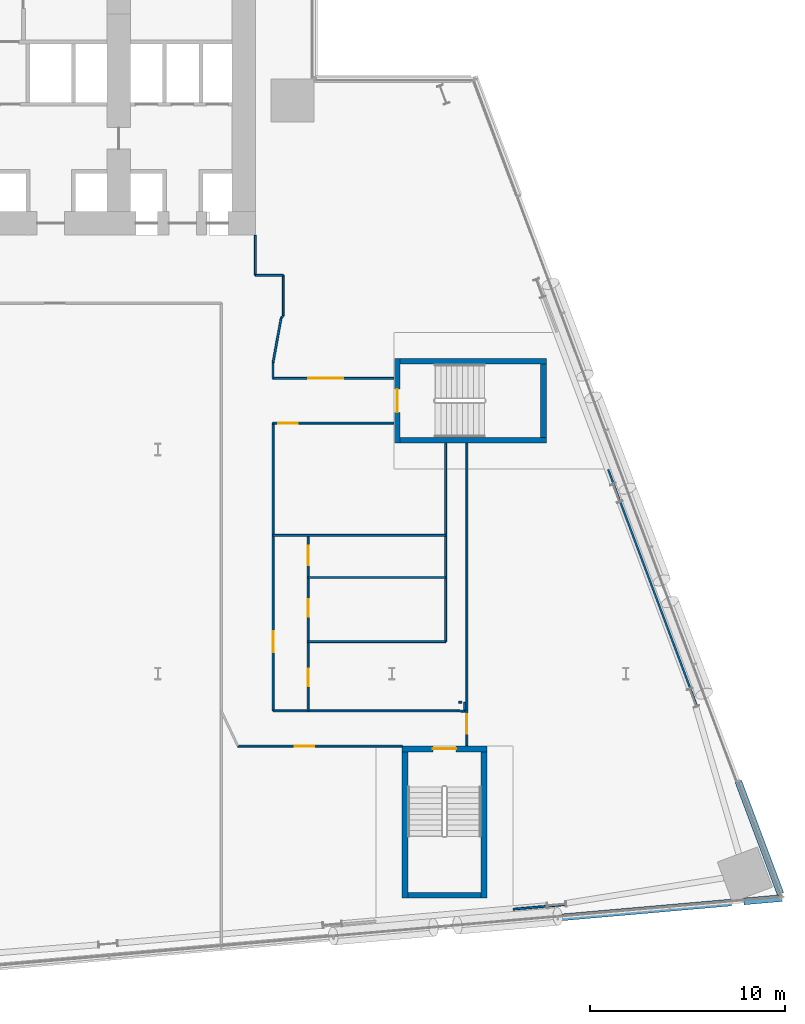
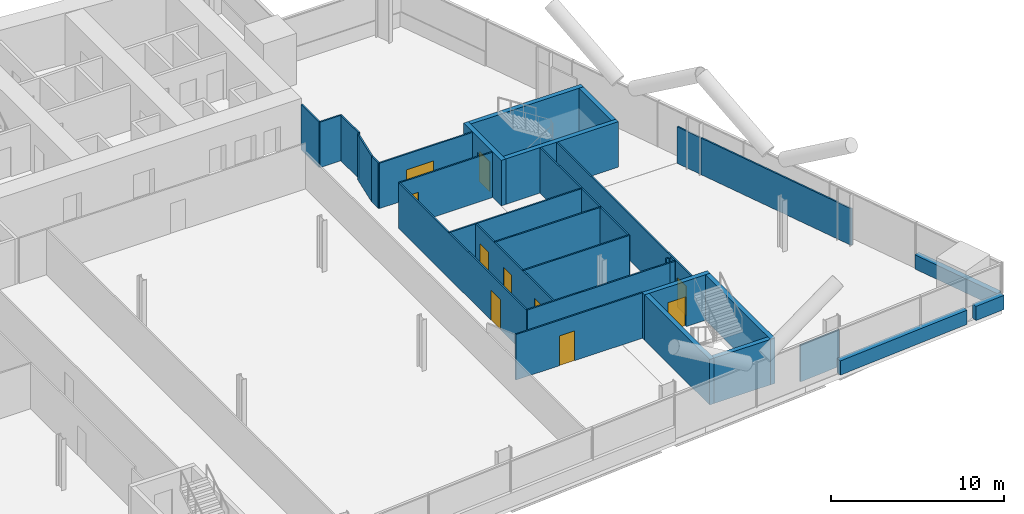
# One storey, part 17 of 25: 34 walls, 10 doors, 10 openings.
"""IFC4 building model written with IfcOpenShell, lengths in metres."""

import ifcopenshell
import ifcopenshell.guid

model = None  # the IFC model being written
_history = None  # IfcOwnerHistory: only IFC2X3 demands one
_inside = {}  # id of a spatial element -> (the spatial element, [elements in it])
_under = {}  # id of a project, library or spatial element -> (it, [spatial elements below it])
_declared = {}  # id of a project -> (the project, [libraries it declares])
_typed = {}  # id of a type object -> (the type object, [elements of that type])
_made_of = {}  # id of a material, layer set ... -> (it, [elements and type objects made of it])


def new_model(schema):
    """Start an empty IFC model of exactly this schema.

    Asked for "IFC4X3", IfcOpenShell would pick the latest addendum, in which some entities
    have other attributes; the version numbers below select the first issue.
    IFC2X3 requires an IfcOwnerHistory on every rooted entity: one is made here for all.
    """
    global model, _history
    if schema == "IFC4X3":
        model = ifcopenshell.file(schema_version=(4, 3, 0, 0))
    else:
        model = ifcopenshell.file(schema=schema)
    _inside.clear()
    _under.clear()
    _declared.clear()
    _typed.clear()
    _made_of.clear()
    _history = None
    if model.schema == "IFC2X3":
        org = make("IfcOrganization", Name="unknown")
        user = make(
            "IfcPersonAndOrganization",
            ThePerson=make("IfcPerson", FamilyName="unknown"),
            TheOrganization=org,
        )
        app = make(
            "IfcApplication",
            ApplicationDeveloper=org,
            Version="unknown",
            ApplicationFullName="unknown",
            ApplicationIdentifier="unknown",
        )
        _history = make(
            "IfcOwnerHistory",
            OwningUser=user,
            OwningApplication=app,
            ChangeAction="ADDED",
            CreationDate=0,
        )
    return model


def make(cls, **values):
    """One entity of the class cls with the attributes given. An attribute that is None is left unset."""
    return model.create_entity(
        cls, **{name: value for name, value in values.items() if value is not None}
    )


def rooted(cls, **values):
    """An entity with a GlobalId (a new one), such as an element, a storey or a relation."""
    return make(cls, GlobalId=ifcopenshell.guid.new(), OwnerHistory=_history, **values)


def si_unit(unit_type, name, prefix=None):
    """IfcSIUnit, for example si_unit("LENGTHUNIT", "METRE", prefix="MILLI")."""
    return make("IfcSIUnit", UnitType=unit_type, Prefix=prefix, Name=name)


def assignment(units):
    """IfcUnitAssignment: the units of a project."""
    return None if units is None else make("IfcUnitAssignment", Units=units)


def point(xyz):
    """IfcCartesianPoint."""
    return None if xyz is None else make("IfcCartesianPoint", Coordinates=xyz)


def direction(xyz):
    """IfcDirection."""
    return None if xyz is None else make("IfcDirection", DirectionRatios=xyz)


def frame(location, z_axis=None, x_axis=None):
    """IfcAxis2Placement3D, a coordinate frame: its origin and axes. An axis left out is left unset."""
    return make(
        "IfcAxis2Placement3D",
        Location=point(location),
        Axis=direction(z_axis),
        RefDirection=direction(x_axis),
    )


def frame_2d(location, x_axis=None):
    """IfcAxis2Placement2D, a coordinate frame in the plane: its origin and x axis."""
    return make(
        "IfcAxis2Placement2D", Location=point(location), RefDirection=direction(x_axis)
    )


def origin():
    """The frame at (0, 0, 0) with its axes left unset."""
    return frame((0.0, 0.0, 0.0))


def place(relative_to, where):
    """IfcLocalPlacement: puts the frame where relative to a parent placement (None: the world)."""
    return make(
        "IfcLocalPlacement", PlacementRelTo=relative_to, RelativePlacement=where
    )


def context(
    kind, dimensions, precision=None, world=None, true_north=None, identifier=None
):
    """IfcGeometricRepresentationContext, for example the 3D "Model" context."""
    return make(
        "IfcGeometricRepresentationContext",
        ContextIdentifier=identifier,
        ContextType=kind,
        CoordinateSpaceDimension=dimensions,
        Precision=precision,
        WorldCoordinateSystem=world,
        TrueNorth=true_north,
    )


def subcontext(parent, identifier, kind, view, scale=None):
    """IfcGeometricRepresentationSubContext, for example "Body" below "Model"."""
    return make(
        "IfcGeometricRepresentationSubContext",
        ContextIdentifier=identifier,
        ContextType=kind,
        ParentContext=parent,
        TargetScale=scale,
        TargetView=view,
    )


def project(units=None, contexts=None):
    """IfcProject with its units and contexts."""
    return rooted(
        "IfcProject",
        Name="project",
        RepresentationContexts=contexts,
        UnitsInContext=assignment(units),
    )


def spatial(cls, under=None, at=None, **own):
    """A site, building, storey or space (cls), placed at a placement, below another one or the project."""
    s = rooted(cls, ObjectPlacement=at, **own)
    if under is not None:
        _under.setdefault(under.id(), (under, []))[1].append(s)
    return s


def profile(cls, at=None, kind="AREA", **sizes):
    """A parametric profile (cls). Its sizes go by their IFC names, for example OverallWidth=200.0."""
    return make(cls, ProfileType=kind, Position=at, **sizes)


def rectangle(**sizes):
    """IfcRectangleProfileDef."""
    return profile("IfcRectangleProfileDef", **sizes)


def extrude(swept, where, along, depth):
    """IfcExtrudedAreaSolid: the profile swept, set in the frame where, extruded along a direction by depth."""
    return make(
        "IfcExtrudedAreaSolid",
        SweptArea=swept,
        Position=where,
        ExtrudedDirection=direction(along),
        Depth=depth,
    )


def shape(context_of_items, identifier, shape_type, items):
    """IfcShapeRepresentation: the items that make up one representation, for example the "Body"."""
    return make(
        "IfcShapeRepresentation",
        ContextOfItems=context_of_items,
        RepresentationIdentifier=identifier,
        RepresentationType=shape_type,
        Items=items,
    )


def material(Name=None, Category=None):
    """IfcMaterial."""
    return make("IfcMaterial", Name=Name, Category=Category)


def layer(
    of_material, thickness, ventilated=None, Name=None, Category=None, Priority=None
):
    """IfcMaterialLayer: one layer of a wall or slab, of a material (None: an air gap)."""
    return make(
        "IfcMaterialLayer",
        Material=of_material,
        LayerThickness=thickness,
        IsVentilated=ventilated,
        Name=Name,
        Category=Category,
        Priority=Priority,
    )


def layer_set(layers, Name=None):
    """IfcMaterialLayerSet."""
    return make("IfcMaterialLayerSet", MaterialLayers=layers, LayerSetName=Name)


def made_of(thing, what):
    """Note that an element or type object is made of a material, layer set ...; save() writes the relation."""
    if what is not None:
        _made_of.setdefault(what.id(), (what, []))[1].append(thing)
    return thing


def type_object(cls, material=None, **own):
    """A type object (cls), such as IfcWallType, which elements share."""
    return made_of(rooted(cls, **own), material)


def element(
    cls,
    number,
    at=None,
    inside=None,
    cuts=None,
    type_object=None,
    material=None,
    context=None,
    identifier="Body",
    shape_type=None,
    held_by="IfcProductDefinitionShape",
    body=None,
    shapes=None,
    **own,
):
    """One element of the class cls, such as IfcWall. Its Tag is "e" and its number.

    at: its placement. inside: the storey or other place that contains it. cuts: it is an
    opening in that element (IfcRelVoidsElement). A single representation is given by context,
    identifier, shape_type and body (its items); several are given by shapes. held_by: the class
    of the entity that holds the representations. save() writes the other relations.
    """
    e = rooted(cls, Tag="e%d" % number, ObjectPlacement=at, **own)
    if body is not None:
        shapes = [shape(context, identifier, shape_type, body)]
    if shapes is not None:
        e.Representation = make(held_by, Representations=shapes)
    if inside is not None:
        _inside.setdefault(inside.id(), (inside, []))[1].append(e)
    if cuts is not None:
        rooted(
            "IfcRelVoidsElement", RelatingBuildingElement=cuts, RelatedOpeningElement=e
        )
    if type_object is not None:
        _typed.setdefault(type_object.id(), (type_object, []))[1].append(e)
    return made_of(e, material)


def fill(opening, filler):
    """IfcRelFillsElement: the door or window that sits in an opening."""
    return rooted(
        "IfcRelFillsElement",
        RelatingOpeningElement=opening,
        RelatedBuildingElement=filler,
    )


def aggregate(whole, parts):
    """IfcRelAggregates: a whole, such as a stair, and the parts it consists of."""
    return rooted("IfcRelAggregates", RelatingObject=whole, RelatedObjects=parts)


def save(model, path):
    """Write the relations noted so far, then the file.

    IfcRelAggregates (storeys below a building ...), IfcRelContainedInSpatialStructure (elements
    in a storey), IfcRelDefinesByType, IfcRelAssociatesMaterial and IfcRelDeclares: one each for
    every whole, place, type object, material and project.
    """
    for whole, parts in _under.values():
        aggregate(whole, parts)
    for where, things in _inside.values():
        rooted(
            "IfcRelContainedInSpatialStructure",
            RelatedElements=things,
            RelatingStructure=where,
        )
    for kind, things in _typed.values():
        rooted("IfcRelDefinesByType", RelatedObjects=things, RelatingType=kind)
    for what, things in _made_of.values():
        rooted("IfcRelAssociatesMaterial", RelatedObjects=things, RelatingMaterial=what)
    for by, libraries in _declared.values():
        rooted("IfcRelDeclares", RelatingContext=by, RelatedDefinitions=libraries)
    model.write(path)


model = new_model("IFC4")

# Units and contexts
model_context = context("Model", 3, precision=1e-05, world=origin(), true_north=direction((0.0, 1.0)))
body_context = subcontext(model_context, "Body", "Model", "MODEL_VIEW")
ifc_project = project(units=[si_unit("LENGTHUNIT", "METRE"), si_unit("AREAUNIT", "SQUARE_METRE"), si_unit("VOLUMEUNIT", "CUBIC_METRE"), si_unit("PLANEANGLEUNIT", "RADIAN"), si_unit("MASSUNIT", "GRAM", prefix="KILO")], contexts=[model_context])

# Site, building, storey
site_placement = place(None, origin())
site = spatial("IfcSite", under=ifc_project, at=site_placement, CompositionType="ELEMENT")
building_placement = place(site_placement, origin())
building = spatial("IfcBuilding", under=site, at=building_placement, Name="Wharfspan Tower", CompositionType="ELEMENT")
storey_placement = place(building_placement, frame((0.0, 0.0, 70.300049)))
storey = spatial("IfcBuildingStorey", under=building, at=storey_placement, Name="L14", CompositionType="ELEMENT", Elevation=70.300049)

# Wall, opening, door
ifc_material_1 = material(Name="Gypsum board on steel studs", Category="steel")
ifc_layer_1 = layer(ifc_material_1, 0.100098)
ifc_layer_set_1 = layer_set([ifc_layer_1], Name="Gypsum board on steel studs")
wall_type_1 = type_object("IfcWallType", Name="Compartment wall 100 EI 60", PredefinedType="PARTITIONING", material=ifc_layer_set_1)
wall_1_placement = place(storey_placement, frame((64.100098, 7.790039, 0.0), z_axis=(0.0, 0.0, 1.0), x_axis=(1.0, 0.0, 0.0)))
wall_1 = element("IfcWall", 1, at=wall_1_placement, inside=storey, type_object=wall_type_1, Name="Partition L14.w021", PredefinedType="PARTITIONING", context=body_context, shape_type="SweptSolid", body=[
    extrude(rectangle(XDim=8.41748, YDim=0.100098, at=frame_2d((4.20874, 0.0))), origin(), (0.0, 0.0, 1.0), 3.199951),
])
opening_1_placement = place(wall_1_placement, frame((2.913086, 0.0, 0.0)))
opening_1 = element("IfcOpeningElement", 2, at=opening_1_placement, cuts=wall_1, Name="Opening A3-01", PredefinedType="OPENING", context=body_context, shape_type="SweptSolid", body=[
    extrude(rectangle(XDim=1.0, YDim=2.100098, at=frame_2d((0.5, 1.050049))), frame((0.0, 0.060059, 0.0), z_axis=(0.0, -1.0, 0.0), x_axis=(1.0, 0.0, 0.0)), (0.0, 0.0, 1.0), 0.120117),
])
ifc_material_2 = material(Name="Fire-rated timber door leaf in steel frame", Category="steel")
door_type_1 = type_object("IfcDoorType", Name="Door 1000 FD30S Left", OperationType="SINGLE_SWING_LEFT", PredefinedType="DOOR", material=ifc_material_2)
door_1_placement = place(opening_1_placement, origin())
door_1 = element("IfcDoor", 3, at=door_1_placement, inside=storey, type_object=door_type_1, Name="Door A3-01", OperationType="SINGLE_SWING_LEFT", OverallHeight=2.100098, OverallWidth=1.0, PredefinedType="DOOR", context=body_context, shape_type="SweptSolid", body=[
    extrude(rectangle(XDim=1.0, YDim=2.100098, at=frame_2d((0.5, 1.050049))), frame((0.0, 0.024902, 0.0), z_axis=(0.0, -1.0, 0.0), x_axis=(1.0, 0.0, 0.0)), (0.0, 0.0, 1.0), 0.050049),
])
fill(opening_1, door_1)

# Walls
wall_2_placement = place(storey_placement, frame((65.0, 31.925049, 0.0), z_axis=(0.0, 0.0, 1.0), x_axis=(0.0, 1.0, 0.0)))
element("IfcWall", 4, at=wall_2_placement, inside=storey, type_object=wall_type_1, Name="Partition L14.w023", PredefinedType="PARTITIONING", context=body_context, shape_type="SweptSolid", body=[
    extrude(rectangle(XDim=2.054932, YDim=0.100098, at=frame_2d((1.027344, 0.0))), origin(), (0.0, 0.0, 1.0), 3.199951),
])
wall_3_placement = place(storey_placement, frame((65.0, 31.925049, 0.0), z_axis=(0.0, 0.0, 1.0), x_axis=(1.0, 0.0, 0.0)))
element("IfcWall", 5, at=wall_3_placement, inside=storey, type_object=wall_type_1, Name="Partition L14.w024", PredefinedType="PARTITIONING", context=body_context, shape_type="SweptSolid", body=[
    extrude(rectangle(XDim=1.425049, YDim=0.100098, at=frame_2d((0.712402, 0.0))), origin(), (0.0, 0.0, 1.0), 3.199951),
])

# Wall, opening, door
wall_4_placement = place(storey_placement, frame((65.899902, 24.350098, 0.0), z_axis=(0.0, 0.0, 1.0), x_axis=(1.0, 0.0, 0.0)))
wall_4 = element("IfcWall", 6, at=wall_4_placement, inside=storey, type_object=wall_type_1, Name="Partition L14.w025", PredefinedType="PARTITIONING", context=body_context, shape_type="SweptSolid", body=[
    extrude(rectangle(XDim=6.205078, YDim=0.100098, at=frame_2d((3.102539, 0.0))), origin(), (0.0, 0.0, 1.0), 3.199951),
])
opening_2_placement = place(wall_4_placement, frame((0.264893, 0.0, 0.0)))
opening_2 = element("IfcOpeningElement", 7, at=opening_2_placement, cuts=wall_4, Name="Opening A3-09", PredefinedType="OPENING", context=body_context, shape_type="SweptSolid", body=[
    extrude(rectangle(XDim=1.0, YDim=2.100098, at=frame_2d((0.5, 1.050049))), frame((0.0, 0.060059, 0.0), z_axis=(0.0, -1.0, 0.0), x_axis=(1.0, 0.0, 0.0)), (0.0, 0.0, 1.0), 0.120117),
])
door_2_placement = place(opening_2_placement, origin())
door_2 = element("IfcDoor", 8, at=door_2_placement, inside=storey, type_object=door_type_1, Name="Door A3-09", OperationType="SINGLE_SWING_LEFT", OverallHeight=2.100098, OverallWidth=1.0, PredefinedType="DOOR", context=body_context, shape_type="SweptSolid", body=[
    extrude(rectangle(XDim=1.0, YDim=2.100098, at=frame_2d((0.5, 1.050049))), frame((0.0, 0.024902, 0.0), z_axis=(0.0, -1.0, 0.0), x_axis=(1.0, 0.0, 0.0)), (0.0, 0.0, 1.0), 0.050049),
])
fill(opening_2, door_2)

# Wall
wall_5_placement = place(storey_placement, frame((65.899902, 26.649902, 0.0), z_axis=(0.0, 0.0, 1.0), x_axis=(0.0, 1.0, 0.0)))
element("IfcWall", 9, at=wall_5_placement, inside=storey, type_object=wall_type_1, Name="Partition L14.w026", PredefinedType="PARTITIONING", context=body_context, shape_type="SweptSolid", body=[
    extrude(rectangle(XDim=0.785156, YDim=0.100098, at=frame_2d((0.392578, 0.0))), origin(), (0.0, 0.0, 1.0), 3.199951),
])

# Wall, opening, door
wall_6_placement = place(storey_placement, frame((65.899902, 26.649902, 0.0), z_axis=(0.0, 0.0, 1.0), x_axis=(1.0, 0.0, 0.0)))
wall_6 = element("IfcWall", 10, at=wall_6_placement, inside=storey, type_object=wall_type_1, Name="Partition L14.w027", PredefinedType="PARTITIONING", context=body_context, shape_type="SweptSolid", body=[
    extrude(rectangle(XDim=6.205078, YDim=0.100098, at=frame_2d((3.102539, 0.0))), origin(), (0.0, 0.0, 1.0), 3.199951),
])
opening_3_placement = place(wall_6_placement, frame((1.804932, 0.0, 0.0)))
opening_3 = element("IfcOpeningElement", 11, at=opening_3_placement, cuts=wall_6, Name="Opening A3-11", PredefinedType="OPENING", context=body_context, shape_type="SweptSolid", body=[
    extrude(rectangle(XDim=1.800049, YDim=2.100098, at=frame_2d((0.899902, 1.050049))), frame((0.0, 0.060059, 0.0), z_axis=(0.0, -1.0, 0.0), x_axis=(1.0, 0.0, 0.0)), (0.0, 0.0, 1.0), 0.120117),
])
door_type_2 = type_object("IfcDoorType", Name="Door 1800 FD30S Double", OperationType="DOUBLE_DOOR_SINGLE_SWING", PredefinedType="DOOR", material=ifc_material_2)
door_3_placement = place(opening_3_placement, origin())
door_3 = element("IfcDoor", 12, at=door_3_placement, inside=storey, type_object=door_type_2, Name="Door A3-11", OperationType="DOUBLE_DOOR_SINGLE_SWING", OverallHeight=2.100098, OverallWidth=1.800049, PredefinedType="DOOR", context=body_context, shape_type="SweptSolid", body=[
    extrude(rectangle(XDim=1.800049, YDim=2.100098, at=frame_2d((0.899902, 1.050049))), frame((0.0, 0.024902, 0.0), z_axis=(0.0, -1.0, 0.0), x_axis=(1.0, 0.0, 0.0)), (0.0, 0.0, 1.0), 0.050049),
])
fill(opening_3, door_3)

# Wall
wall_7_placement = place(storey_placement, frame((65.899902, 27.435059, 0.0), z_axis=(0.0, 0.0, 1.0), x_axis=(0.178584, 0.983924, 0.0)))
element("IfcWall", 13, at=wall_7_placement, inside=storey, type_object=wall_type_1, Name="Partition L14.w028", PredefinedType="PARTITIONING", context=body_context, shape_type="SweptSolid", body=[
    extrude(rectangle(XDim=2.352783, YDim=0.100098, at=frame_2d((1.17627, 0.0))), origin(), (0.0, 0.0, 1.0), 3.199951),
])

# Wall, opening, door
wall_8_placement = place(storey_placement, frame((65.909912, 9.600098, 0.0), z_axis=(0.0, 0.0, 1.0), x_axis=(0.0, 1.0, 0.0)))
wall_8 = element("IfcWall", 14, at=wall_8_placement, inside=storey, type_object=wall_type_1, Name="Partition L14.w029", PredefinedType="PARTITIONING", context=body_context, shape_type="SweptSolid", body=[
    extrude(rectangle(XDim=14.75, YDim=0.100098, at=frame_2d((7.375, 0.0))), origin(), (0.0, 0.0, 1.0), 3.199951),
])
opening_4_placement = place(wall_8_placement, frame((2.98999, 0.0, 0.0)))
opening_4 = element("IfcOpeningElement", 15, at=opening_4_placement, cuts=wall_8, Name="Opening A3-04", PredefinedType="OPENING", context=body_context, shape_type="SweptSolid", body=[
    extrude(rectangle(XDim=1.100098, YDim=2.100098, at=frame_2d((0.550049, 1.050049))), frame((0.0, 0.060059, 0.0), z_axis=(0.0, -1.0, 0.0), x_axis=(1.0, 0.0, 0.0)), (0.0, 0.0, 1.0), 0.120117),
])
door_type_3 = type_object("IfcDoorType", Name="Door 1100 FD30S Left", OperationType="SINGLE_SWING_LEFT", PredefinedType="DOOR", material=ifc_material_2)
door_4_placement = place(opening_4_placement, origin())
door_4 = element("IfcDoor", 16, at=door_4_placement, inside=storey, type_object=door_type_3, Name="Door A3-04", OperationType="SINGLE_SWING_LEFT", OverallHeight=2.100098, OverallWidth=1.100098, PredefinedType="DOOR", context=body_context, shape_type="SweptSolid", body=[
    extrude(rectangle(XDim=1.100098, YDim=2.100098, at=frame_2d((0.550049, 1.050049))), frame((0.0, 0.024902, 0.0), z_axis=(0.0, -1.0, 0.0), x_axis=(1.0, 0.0, 0.0)), (0.0, 0.0, 1.0), 0.050049),
])
fill(opening_4, door_4)

# Walls
wall_9_placement = place(storey_placement, frame((65.909912, 9.600098, 0.0), z_axis=(0.0, 0.0, 1.0), x_axis=(1.0, 0.0, 0.0)))
element("IfcWall", 17, at=wall_9_placement, inside=storey, type_object=wall_type_1, Name="Partition L14.w030", PredefinedType="PARTITIONING", context=body_context, shape_type="SweptSolid", body=[
    extrude(rectangle(XDim=9.485107, YDim=0.100098, at=frame_2d((4.742676, 0.0))), origin(), (0.0, 0.0, 1.0), 3.199951),
])
wall_10_placement = place(storey_placement, frame((65.909912, 18.594971, 0.0), z_axis=(0.0, 0.0, 1.0), x_axis=(1.0, 0.0, 0.0)))
element("IfcWall", 18, at=wall_10_placement, inside=storey, type_object=wall_type_1, Name="Partition L14.w031", PredefinedType="PARTITIONING", context=body_context, shape_type="SweptSolid", body=[
    extrude(rectangle(XDim=8.840088, YDim=0.100098, at=frame_2d((4.419922, 0.0))), origin(), (0.0, 0.0, 1.0), 3.199951),
])
wall_11_placement = place(storey_placement, frame((66.320068, 29.75, 0.0), z_axis=(0.0, 0.0, 1.0), x_axis=(0.741581, 0.670872, 0.0)))
element("IfcWall", 19, at=wall_11_placement, inside=storey, type_object=wall_type_1, Name="Partition L14.w032", PredefinedType="PARTITIONING", context=body_context, shape_type="SweptSolid", body=[
    extrude(rectangle(XDim=0.141602, YDim=0.100098, at=frame_2d((0.070801, 0.0))), origin(), (0.0, 0.0, 1.0), 3.199951),
])
wall_12_placement = place(storey_placement, frame((66.425049, 29.844971, 0.0), z_axis=(0.0, 0.0, 1.0), x_axis=(0.0, 1.0, 0.0)))
element("IfcWall", 20, at=wall_12_placement, inside=storey, type_object=wall_type_1, Name="Partition L14.w033", PredefinedType="PARTITIONING", context=body_context, shape_type="SweptSolid", body=[
    extrude(rectangle(XDim=2.080078, YDim=0.100098, at=frame_2d((1.040039, 0.0))), origin(), (0.0, 0.0, 1.0), 3.199951),
])

# Wall, openings, doors
wall_13_placement = place(storey_placement, frame((67.699951, 9.600098, 0.0), z_axis=(0.0, 0.0, 1.0), x_axis=(0.0, 1.0, 0.0)))
wall_13 = element("IfcWall", 21, at=wall_13_placement, inside=storey, type_object=wall_type_1, Name="Partition L14.w034", PredefinedType="PARTITIONING", context=body_context, shape_type="SweptSolid", body=[
    extrude(rectangle(XDim=8.994873, YDim=0.100098, at=frame_2d((4.497559, 0.0))), origin(), (0.0, 0.0, 1.0), 3.199951),
])
opening_5_placement = place(wall_13_placement, frame((1.264404, 0.0, 0.0)))
opening_5 = element("IfcOpeningElement", 22, at=opening_5_placement, cuts=wall_13, Name="Opening A3-03", PredefinedType="OPENING", context=body_context, shape_type="SweptSolid", body=[
    extrude(rectangle(XDim=0.899902, YDim=2.100098, at=frame_2d((0.449951, 1.050049))), frame((0.0, 0.060059, 0.0), z_axis=(0.0, -1.0, 0.0), x_axis=(1.0, 0.0, 0.0)), (0.0, 0.0, 1.0), 0.120117),
])
opening_6_placement = place(wall_13_placement, frame((4.819092, 0.0, 0.0)))
opening_6 = element("IfcOpeningElement", 23, at=opening_6_placement, cuts=wall_13, Name="Opening A3-06", PredefinedType="OPENING", context=body_context, shape_type="SweptSolid", body=[
    extrude(rectangle(XDim=0.899902, YDim=2.100098, at=frame_2d((0.449951, 1.050049))), frame((0.0, 0.060059, 0.0), z_axis=(0.0, -1.0, 0.0), x_axis=(1.0, 0.0, 0.0)), (0.0, 0.0, 1.0), 0.120117),
])
opening_7_placement = place(wall_13_placement, frame((7.454102, 0.0, 0.0)))
opening_7 = element("IfcOpeningElement", 24, at=opening_7_placement, cuts=wall_13, Name="Opening A3-07", PredefinedType="OPENING", context=body_context, shape_type="SweptSolid", body=[
    extrude(rectangle(XDim=1.0, YDim=2.100098, at=frame_2d((0.5, 1.050049))), frame((0.0, 0.060059, 0.0), z_axis=(0.0, -1.0, 0.0), x_axis=(1.0, 0.0, 0.0)), (0.0, 0.0, 1.0), 0.120117),
])
ifc_material_3 = material(Name="Timber door leaf in steel frame", Category="steel")
door_type_4 = type_object("IfcDoorType", Name="Door 1000 NOT RATED Right", OperationType="SINGLE_SWING_RIGHT", PredefinedType="DOOR", material=ifc_material_3)
door_5_placement = place(opening_7_placement, origin())
door_5 = element("IfcDoor", 25, at=door_5_placement, inside=storey, type_object=door_type_4, Name="Door A3-07", OperationType="SINGLE_SWING_RIGHT", OverallHeight=2.100098, OverallWidth=1.0, PredefinedType="DOOR", context=body_context, shape_type="SweptSolid", body=[
    extrude(rectangle(XDim=1.0, YDim=2.100098, at=frame_2d((0.5, 1.050049))), frame((0.0, 0.024902, 0.0), z_axis=(0.0, -1.0, 0.0), x_axis=(1.0, 0.0, 0.0)), (0.0, 0.0, 1.0), 0.050049),
])
fill(opening_7, door_5)
door_type_5 = type_object("IfcDoorType", Name="Door 900 NOT RATED Left", OperationType="SINGLE_SWING_LEFT", PredefinedType="DOOR", material=ifc_material_3)
door_6_placement = place(opening_5_placement, origin())
door_6 = element("IfcDoor", 26, at=door_6_placement, inside=storey, type_object=door_type_5, Name="Door A3-03", OperationType="SINGLE_SWING_LEFT", OverallHeight=2.100098, OverallWidth=0.899902, PredefinedType="DOOR", context=body_context, shape_type="SweptSolid", body=[
    extrude(rectangle(XDim=0.899902, YDim=2.100098, at=frame_2d((0.449951, 1.050049))), frame((0.0, 0.024902, 0.0), z_axis=(0.0, -1.0, 0.0), x_axis=(1.0, 0.0, 0.0)), (0.0, 0.0, 1.0), 0.050049),
])
fill(opening_5, door_6)
door_type_6 = type_object("IfcDoorType", Name="Door 900 NOT RATED Right", OperationType="SINGLE_SWING_RIGHT", PredefinedType="DOOR", material=ifc_material_3)
door_7_placement = place(opening_6_placement, origin())
door_7 = element("IfcDoor", 27, at=door_7_placement, inside=storey, type_object=door_type_6, Name="Door A3-06", OperationType="SINGLE_SWING_RIGHT", OverallHeight=2.100098, OverallWidth=0.899902, PredefinedType="DOOR", context=body_context, shape_type="SweptSolid", body=[
    extrude(rectangle(XDim=0.899902, YDim=2.100098, at=frame_2d((0.449951, 1.050049))), frame((0.0, 0.024902, 0.0), z_axis=(0.0, -1.0, 0.0), x_axis=(1.0, 0.0, 0.0)), (0.0, 0.0, 1.0), 0.050049),
])
fill(opening_6, door_7)

# Walls
wall_14_placement = place(storey_placement, frame((75.429932, 10.044922, 0.0), z_axis=(0.0, 0.0, 1.0), x_axis=(1.0, 0.0, 0.0)))
element("IfcWall", 28, at=wall_14_placement, inside=storey, type_object=wall_type_1, Name="Partition L14.w039", PredefinedType="PARTITIONING", context=body_context, shape_type="SweptSolid", body=[
    extrude(rectangle(XDim=0.160156, YDim=0.100098, at=frame_2d((0.080078, 0.0))), origin(), (0.0, 0.0, 1.0), 3.199951),
])
wall_15_placement = place(storey_placement, frame((75.725098, 9.574951, 0.0), z_axis=(0.0, 0.0, 1.0), x_axis=(-0.99817, 0.06054, 0.0)))
element("IfcWall", 29, at=wall_15_placement, inside=storey, type_object=wall_type_1, Name="Partition L14.w040", PredefinedType="PARTITIONING", context=body_context, shape_type="SweptSolid", body=[
    extrude(rectangle(XDim=0.330566, YDim=0.100098, at=frame_2d((0.165283, 0.0))), origin(), (0.0, 0.0, 1.0), 3.199951),
])
wall_16_placement = place(storey_placement, frame((75.725098, 9.574951, 0.0), z_axis=(0.0, 0.0, 1.0), x_axis=(0.0, 1.0, 0.0)))
element("IfcWall", 30, at=wall_16_placement, inside=storey, type_object=wall_type_1, Name="Partition L14.w041", PredefinedType="PARTITIONING", context=body_context, shape_type="SweptSolid", body=[
    extrude(rectangle(XDim=0.449951, YDim=0.100098, at=frame_2d((0.225098, 0.0))), origin(), (0.0, 0.0, 1.0), 3.199951),
])

# Wall, opening, door
wall_17_placement = place(storey_placement, frame((75.844971, 7.812012, 0.0), z_axis=(0.0, 0.0, 1.0), x_axis=(0.0, 1.0, 0.0)))
wall_17 = element("IfcWall", 31, at=wall_17_placement, inside=storey, type_object=wall_type_1, Name="Partition L14.w042", PredefinedType="PARTITIONING", context=body_context, shape_type="SweptSolid", body=[
    extrude(rectangle(XDim=15.512939, YDim=0.100098, at=frame_2d((7.756348, 0.0))), origin(), (0.0, 0.0, 1.0), 3.199951),
])
opening_8_placement = place(wall_17_placement, frame((0.5979, 0.0, 0.0)))
opening_8 = element("IfcOpeningElement", 32, at=opening_8_placement, cuts=wall_17, Name="Opening A3-02", PredefinedType="OPENING", context=body_context, shape_type="SweptSolid", body=[
    extrude(rectangle(XDim=1.0, YDim=2.100098, at=frame_2d((0.5, 1.050049))), frame((0.0, 0.060059, 0.0), z_axis=(0.0, -1.0, 0.0), x_axis=(1.0, 0.0, 0.0)), (0.0, 0.0, 1.0), 0.120117),
])
door_8_placement = place(opening_8_placement, origin())
door_8 = element("IfcDoor", 33, at=door_8_placement, inside=storey, type_object=door_type_1, Name="Door A3-02", OperationType="SINGLE_SWING_LEFT", OverallHeight=2.100098, OverallWidth=1.0, PredefinedType="DOOR", context=body_context, shape_type="SweptSolid", body=[
    extrude(rectangle(XDim=1.0, YDim=2.100098, at=frame_2d((0.5, 1.050049))), frame((0.0, 0.024902, 0.0), z_axis=(0.0, -1.0, 0.0), x_axis=(1.0, 0.0, 0.0)), (0.0, 0.0, 1.0), 0.050049),
])
fill(opening_8, door_8)

# Walls
ifc_layer_2 = layer(ifc_material_1, 0.100098)
ifc_layer_set_2 = layer_set([ifc_layer_2], Name="Gypsum board on steel studs")
wall_type_2 = type_object("IfcWallType", Name="Partition 100", PredefinedType="PARTITIONING", material=ifc_layer_set_2)
for number, where, z_axis, x_axis, name in (
    (34, (67.699951, 13.149902, 0.0), (0.0, 0.0, 1.0), (1.0, 0.0, 0.0), "Partition L14.w035"),
    (35, (67.699951, 16.435059, 0.0), (0.0, 0.0, 1.0), (1.0, 0.0, 0.0), "Partition L14.w036"),
):
    element("IfcWall", number, at=place(storey_placement, frame(where, z_axis=z_axis, x_axis=x_axis)), inside=storey, type_object=wall_type_2, Name=name, PredefinedType="PARTITIONING", context=body_context, shape_type="SweptSolid", body=[
        extrude(rectangle(XDim=7.050049, YDim=0.100098, at=frame_2d((3.524902, 0.0))), origin(), (0.0, 0.0, 1.0), 3.199951),
    ])
wall_18_placement = place(storey_placement, frame((74.75, 13.149902, 0.0), z_axis=(0.0, 0.0, 1.0), x_axis=(0.0, 1.0, 0.0)))
element("IfcWall", 36, at=wall_18_placement, inside=storey, type_object=wall_type_2, Name="Partition L14.w038", PredefinedType="PARTITIONING", context=body_context, shape_type="SweptSolid", body=[
    extrude(rectangle(XDim=10.175049, YDim=0.100098, at=frame_2d((5.087402, 0.0))), origin(), (0.0, 0.0, 1.0), 3.199951),
])
wall_19_placement = place(storey_placement, frame((78.212402, -0.572998, 0.0), z_axis=(0.0, 0.0, 1.0), x_axis=(0.996224, 0.086779, 0.0)))
element("IfcWall", 37, at=wall_19_placement, inside=storey, type_object=wall_type_2, Name="Partition L14.w043", PredefinedType="PARTITIONING", context=body_context, shape_type="SweptSolid", body=[
    extrude(rectangle(XDim=2.74292, YDim=0.100098, at=frame_2d((1.371582, 0.0))), origin(), (0.0, 0.0, 1.0), 2.579834),
])
wall_20_placement = place(storey_placement, frame((83.709961, 20.310059, 0.0), z_axis=(0.0, 0.0, 1.0), x_axis=(-0.349322, 0.937005, 0.0)))
element("IfcWall", 38, at=wall_20_placement, inside=storey, type_object=wall_type_2, Name="Partition L14.w045", PredefinedType="PARTITIONING", context=body_context, shape_type="SweptSolid", body=[
    extrude(rectangle(XDim=1.782227, YDim=0.100098, at=frame_2d((0.891113, 0.0))), origin(), (0.0, 0.0, 1.0), 2.579834),
])
wall_21_placement = place(storey_placement, frame((87.649902, 9.810059, 0.0), z_axis=(0.0, 0.0, 1.0), x_axis=(-0.351395, 0.936227, 0.0)))
element("IfcWall", 39, at=wall_21_placement, inside=storey, type_object=wall_type_2, Name="Partition L14.w046", PredefinedType="PARTITIONING", context=body_context, shape_type="SweptSolid", body=[
    extrude(rectangle(XDim=11.226074, YDim=0.100098, at=frame_2d((5.613037, 0.0))), origin(), (0.0, 0.0, 1.0), 2.579834),
])
ifc_material_4 = material(Name="Concrete C40/50", Category="concrete")
ifc_layer_3 = layer(ifc_material_4, 0.350098)
ifc_layer_set_3 = layer_set([ifc_layer_3], Name="Concrete C40/50")
wall_type_3 = type_object("IfcWallType", Name="SPANDREL EXPOSED CONCRETE 350", PredefinedType="SOLIDWALL", material=ifc_layer_set_3)
wall_22_placement = place(storey_placement, frame((80.530273, -1.008545, 0.0), z_axis=(0.0, 0.0, 1.0), x_axis=(0.996198, 0.087169, 0.0)))
element("IfcWall", 40, at=wall_22_placement, inside=storey, type_object=wall_type_3, Name="Spandrel upstand L14 S2 2", PredefinedType="SOLIDWALL", context=body_context, shape_type="SweptSolid", body=[
    extrude(rectangle(XDim=8.912109, YDim=0.350098, at=frame_2d((4.456055, 0.0))), origin(), (0.0, 0.0, 1.0), 1.0),
])
wall_23_placement = place(storey_placement, frame((90.039062, -0.176514, 0.0), z_axis=(0.0, 0.0, 1.0), x_axis=(0.996193, 0.08717, 0.0)))
element("IfcWall", 41, at=wall_23_placement, inside=storey, type_object=wall_type_3, Name="Spandrel upstand L14 S2 3", PredefinedType="SOLIDWALL", context=body_context, shape_type="SweptSolid", body=[
    extrude(rectangle(XDim=1.968994, YDim=0.350098, at=frame_2d((0.984375, 0.0))), origin(), (0.0, 0.0, 1.0), 1.0),
])
wall_24_placement = place(storey_placement, frame((91.926025, 0.211182, 0.0), z_axis=(0.0, 0.0, 1.0), x_axis=(-0.351118, 0.936328, 0.0)))
element("IfcWall", 42, at=wall_24_placement, inside=storey, type_object=wall_type_3, Name="Spandrel upstand L14 E 1", PredefinedType="SOLIDWALL", context=body_context, shape_type="SweptSolid", body=[
    extrude(rectangle(XDim=6.154297, YDim=0.350098, at=frame_2d((3.077148, 0.0))), origin(), (0.0, 0.0, 1.0), 1.0),
])

# Wall, opening, door
ifc_layer_4 = layer(ifc_material_4, 0.300049)
ifc_layer_set_4 = layer_set([ifc_layer_4], Name="Concrete C40/50")
wall_type_4 = type_object("IfcWallType", Name="Stair core wall 300", PredefinedType="SHEAR", material=ifc_layer_set_4)
wall_25_placement = place(storey_placement, frame((72.517578, 7.64209, 0.0), z_axis=(0.0, 0.0, 1.0), x_axis=(1.0, 0.0, 0.0)))
wall_25 = element("IfcWall", 43, at=wall_25_placement, inside=storey, type_object=wall_type_4, Name="ST5 stair enclosure wall L14", PredefinedType="SHEAR", context=body_context, shape_type="SweptSolid", body=[
    extrude(rectangle(XDim=4.349854, YDim=0.300049, at=frame_2d((2.174805, 0.0))), origin(), (0.0, 0.0, 1.0), 3.199951),
])
opening_9_placement = place(wall_25_placement, frame((1.574951, 0.0, 0.0)))
opening_9 = element("IfcOpeningElement", 44, at=opening_9_placement, cuts=wall_25, Name="Opening SD5.L14", PredefinedType="OPENING", context=body_context, shape_type="SweptSolid", body=[
    extrude(rectangle(XDim=1.199951, YDim=2.100098, at=frame_2d((0.600098, 1.050049))), frame((0.0, 0.159912, 0.0), z_axis=(0.0, -1.0, 0.0), x_axis=(1.0, 0.0, 0.0)), (0.0, 0.0, 1.0), 0.320068),
])
ifc_material_5 = material(Name="Steel door leaf", Category="steel")
door_type_7 = type_object("IfcDoorType", Name="Stair door 1200x2100", OperationType="SINGLE_SWING_LEFT", PredefinedType="DOOR", material=ifc_material_5)
door_9_placement = place(opening_9_placement, origin())
door_9 = element("IfcDoor", 45, at=door_9_placement, inside=storey, type_object=door_type_7, Name="sd:L14:ST5z1", OperationType="SINGLE_SWING_RIGHT", OverallHeight=2.100098, OverallWidth=1.199951, PredefinedType="DOOR", context=body_context, shape_type="SweptSolid", body=[
    extrude(rectangle(XDim=1.199951, YDim=2.100098, at=frame_2d((0.600098, 1.050049))), frame((0.0, 0.024902, 0.0), z_axis=(0.0, -1.0, 0.0), x_axis=(1.0, 0.0, 0.0)), (0.0, 0.0, 1.0), 0.050049),
])
fill(opening_9, door_9)

wall_26_placement = place(storey_placement, frame((72.274902, 23.324951, 0.0), z_axis=(0.0, 0.0, 1.0), x_axis=(0.0, 1.0, 0.0)))
wall_26 = element("IfcWall", 46, at=wall_26_placement, inside=storey, type_object=wall_type_4, Name="ST6 stair enclosure wall L14", PredefinedType="SHEAR", context=body_context, shape_type="SweptSolid", body=[
    extrude(rectangle(XDim=4.350098, YDim=0.300049, at=frame_2d((2.175049, 0.0))), origin(), (0.0, 0.0, 1.0), 3.199951),
])
opening_10_placement = place(wall_26_placement, frame((1.574951, 0.0, 0.0)))
opening_10 = element("IfcOpeningElement", 47, at=opening_10_placement, cuts=wall_26, Name="Opening SD6.L14", PredefinedType="OPENING", context=body_context, shape_type="SweptSolid", body=[
    extrude(rectangle(XDim=1.199951, YDim=2.100098, at=frame_2d((0.600098, 1.050049))), frame((0.0, 0.159912, 0.0), z_axis=(0.0, -1.0, 0.0), x_axis=(1.0, 0.0, 0.0)), (0.0, 0.0, 1.0), 0.320068),
])
door_10_placement = place(opening_10_placement, origin())
door_10 = element("IfcDoor", 48, at=door_10_placement, inside=storey, type_object=door_type_7, Name="sd:L14:ST6z1", OperationType="SINGLE_SWING_RIGHT", OverallHeight=2.100098, OverallWidth=1.199951, PredefinedType="DOOR", context=body_context, shape_type="SweptSolid", body=[
    extrude(rectangle(XDim=1.199951, YDim=2.100098, at=frame_2d((0.600098, 1.050049))), frame((0.0, 0.024902, 0.0), z_axis=(0.0, -1.0, 0.0), x_axis=(1.0, 0.0, 0.0)), (0.0, 0.0, 1.0), 0.050049),
])
fill(opening_10, door_10)

# Walls
for number, where, z_axis, x_axis, name in (
    (49, (72.66748, -0.008057, 0.0), (0.0, 0.0, 1.0), (0.0, 1.0, 0.0), "ST5 stair enclosure wall L14"),
    (50, (76.717529, -0.008057, 0.0), (0.0, 0.0, 1.0), (0.0, 1.0, 0.0), "ST5 stair enclosure wall L14"),
):
    element("IfcWall", number, at=place(storey_placement, frame(where, z_axis=z_axis, x_axis=x_axis)), inside=storey, type_object=wall_type_4, Name=name, PredefinedType="SHEAR", context=body_context, shape_type="SweptSolid", body=[
        extrude(rectangle(XDim=7.5, YDim=0.300049, at=frame_2d((3.75, 0.0))), origin(), (0.0, 0.0, 1.0), 3.199951),
    ])
wall_27_placement = place(storey_placement, frame((72.817383, 0.14209, 0.0), z_axis=(0.0, 0.0, 1.0), x_axis=(1.0, 0.0, 0.0)))
element("IfcWall", 51, at=wall_27_placement, inside=storey, type_object=wall_type_4, Name="ST5 stair enclosure wall L14", PredefinedType="SHEAR", context=body_context, shape_type="SweptSolid", body=[
    extrude(rectangle(XDim=3.75, YDim=0.300049, at=frame_2d((1.875, 0.0))), origin(), (0.0, 0.0, 1.0), 3.199951),
])
for number, where, z_axis, x_axis, name in (
    (52, (72.425049, 23.475098, 0.0), (0.0, 0.0, 1.0), (1.0, 0.0, 0.0), "ST6 stair enclosure wall L14"),
    (53, (72.425049, 27.524902, 0.0), (0.0, 0.0, 1.0), (1.0, 0.0, 0.0), "ST6 stair enclosure wall L14"),
):
    element("IfcWall", number, at=place(storey_placement, frame(where, z_axis=z_axis, x_axis=x_axis)), inside=storey, type_object=wall_type_4, Name=name, PredefinedType="SHEAR", context=body_context, shape_type="SweptSolid", body=[
        extrude(rectangle(XDim=7.5, YDim=0.300049, at=frame_2d((3.75, 0.0))), origin(), (0.0, 0.0, 1.0), 3.199951),
    ])
wall_28_placement = place(storey_placement, frame((79.774902, 23.625, 0.0), z_axis=(0.0, 0.0, 1.0), x_axis=(0.0, 1.0, 0.0)))
element("IfcWall", 54, at=wall_28_placement, inside=storey, type_object=wall_type_4, Name="ST6 stair enclosure wall L14", PredefinedType="SHEAR", context=body_context, shape_type="SweptSolid", body=[
    extrude(rectangle(XDim=3.75, YDim=0.300049, at=frame_2d((1.875, 0.0))), origin(), (0.0, 0.0, 1.0), 3.199951),
])

save(model, "model.ifc")
